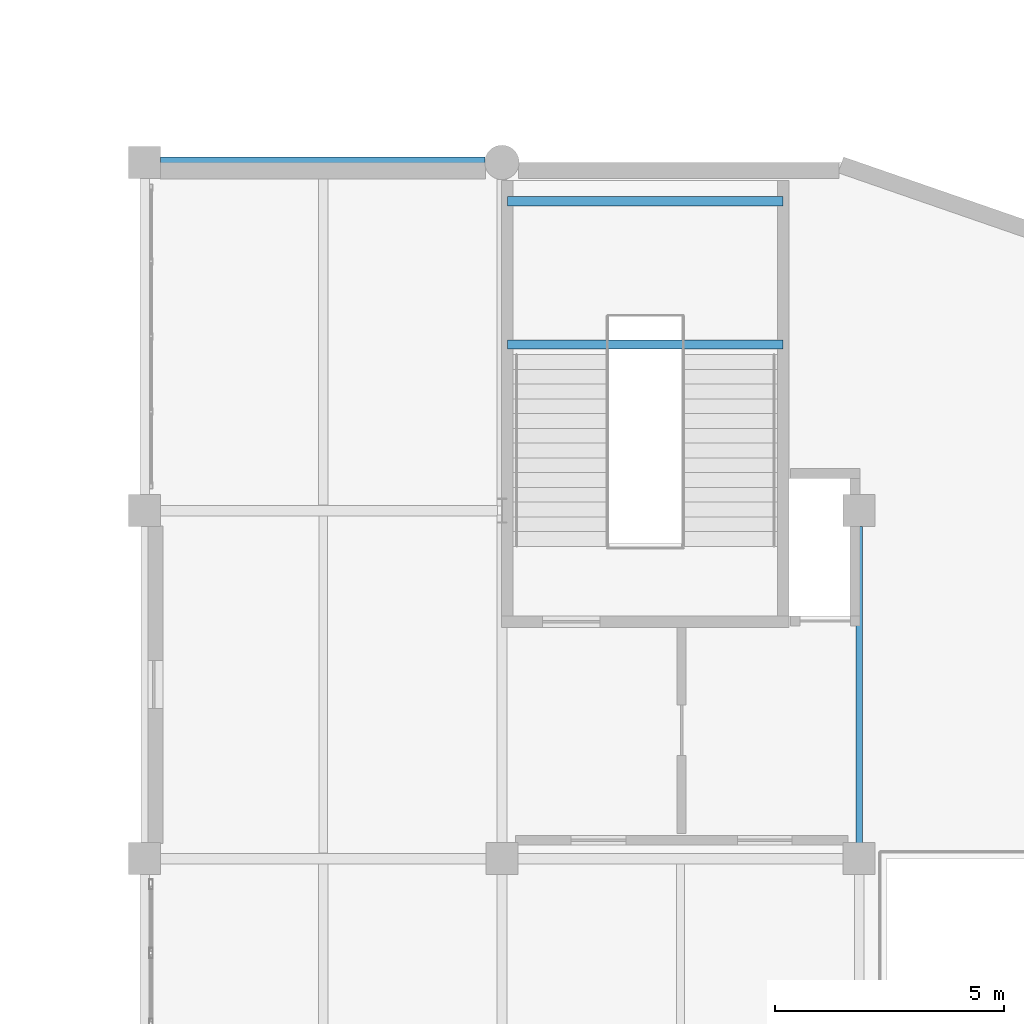
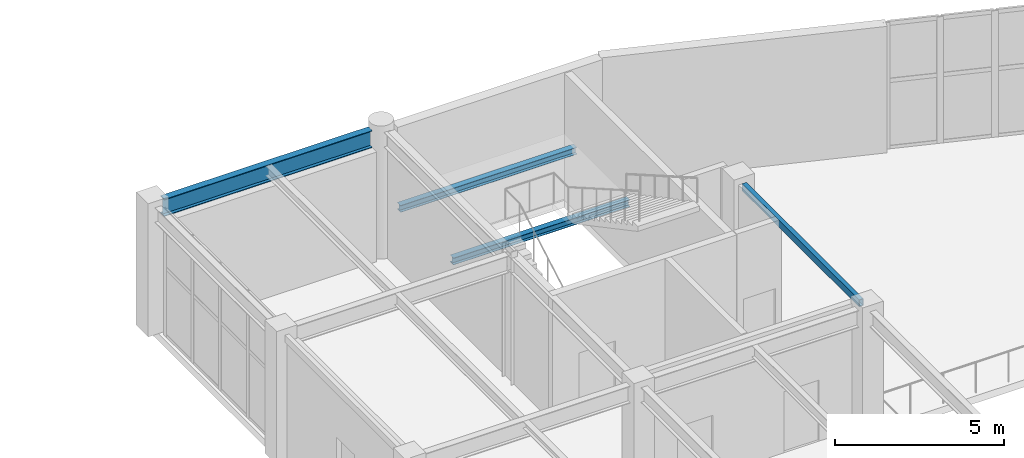
# One storey, part 37 of 72: 4 beams.
"""IFC4 building model written with IfcOpenShell, lengths in metres."""

from ifc_helpers import new_model, si_unit, direction, frame, origin, origin_2d, place, context, subcontext, project, spatial, hollow_rectangle, i_section, extrude, material, material_profile, profile_set, type_object, element, save


model = new_model("IFC4")

# Units and contexts
model_context = context("Model", 3, precision=1e-05, world=origin(), true_north=direction((0.0, 1.0)))
body_context = subcontext(model_context, "Body", "Model", "MODEL_VIEW")
ifc_project = project(units=[si_unit("LENGTHUNIT", "METRE"), si_unit("AREAUNIT", "SQUARE_METRE"), si_unit("VOLUMEUNIT", "CUBIC_METRE"), si_unit("PLANEANGLEUNIT", "RADIAN"), si_unit("MASSUNIT", "GRAM", prefix="KILO")], contexts=[model_context])

# Site, building, storey
site_placement = place(None, origin())
site = spatial("IfcSite", under=ifc_project, at=site_placement, CompositionType="ELEMENT")
building_placement = place(site_placement, origin())
building = spatial("IfcBuilding", under=site, at=building_placement, Name="Xicomal Pleat Aquarium", CompositionType="ELEMENT")
storey_placement = place(building_placement, frame((0.0, 0.0, 10.5)))
storey = spatial("IfcBuildingStorey", under=building, at=storey_placement, Name="L03", CompositionType="ELEMENT", Elevation=10.5)

# Beams
ifc_material_1 = material(Name="Structural steel A992 Gr 50", Category="steel")
ifc_material_profile_1 = material_profile(ifc_material_1, i_section(OverallWidth=0.201904296875, OverallDepth=0.2470703125, WebThickness=0.00732421875, FlangeThickness=0.010986328125, at=origin_2d()), Name="IR 250x49")
ifc_profile_set_1 = profile_set([ifc_material_profile_1], Name="Structural steel A992 Gr 50")
beam_type_1 = type_object("IfcBeamType", Name="BM-STL-IR250", PredefinedType="JOIST", material=ifc_profile_set_1)
for number, where, z_axis, x_axis, name in (
    (1, (141.719970703125, 29.550048828125, 2.0791015625), (1.0, 0.0, 0.0), (0.0, 1.0, 0.0), "ST-08-L03 half-landing bearer beam 1"),
    (2, (141.719970703125, 26.426025390625, 2.0791015625), (1.0, 0.0, 0.0), (0.0, 1.0, 0.0), "ST-08-L03 half-landing bearer beam 2"),
):
    element("IfcBeam", number, at=place(storey_placement, frame(where, z_axis=z_axis, x_axis=x_axis)), inside=storey, type_object=beam_type_1, Name=name, PredefinedType="JOIST", context=body_context, shape_type="SweptSolid", body=[
        extrude(i_section(OverallWidth=0.201904296875, OverallDepth=0.2470703125, WebThickness=0.00732421875, FlangeThickness=0.010986328125, at=origin_2d()), origin(), (0.0, 0.0, 1.0), 6.02001953125),
    ])
ifc_material_2 = material(Name="Structural steel A992 Gr 50", Category="steel")
ifc_material_profile_2 = material_profile(ifc_material_2, i_section(OverallWidth=0.22998046875, OverallDepth=0.616943359375, WebThickness=0.01318359375, FlangeThickness=0.022216796875, at=origin_2d()), Name="IR 610x140")
ifc_profile_set_2 = profile_set([ifc_material_profile_2], Name="Structural steel A992 Gr 50")
beam_type_2 = type_object("IfcBeamType", Name="BM-STL-IR610", PredefinedType="BEAM", material=ifc_profile_set_2)
beam_1_placement = place(storey_placement, frame((134.14501953125, 30.39990234375, 4.2666015625), z_axis=(1.0, 0.0, 0.0), x_axis=(0.0, 1.0, 0.0)))
element("IfcBeam", 3, at=beam_1_placement, inside=storey, type_object=beam_type_2, Name="L03 framing beam FGX-L03-17-18-E", PredefinedType="BEAM", context=body_context, shape_type="SweptSolid", body=[
    extrude(i_section(OverallWidth=0.22998046875, OverallDepth=0.616943359375, WebThickness=0.01318359375, FlangeThickness=0.022216796875, at=origin_2d()), origin(), (0.0, 0.0, 1.0), 7.0849609375),
])
ifc_material_3 = material(Name="Structural steel A500 Gr C", Category="steel")
ifc_material_profile_3 = material_profile(ifc_material_3, hollow_rectangle(XDim=0.14990234375, YDim=0.25, WallThickness=0.010009765625, at=origin_2d()), Name="OR 250x150x10")
ifc_profile_set_3 = profile_set([ifc_material_profile_3], Name="Structural steel A500 Gr C")
beam_type_3 = type_object("IfcBeamType", Name="BM-STL-OR250", PredefinedType="SPANDREL", material=ifc_profile_set_3)
beam_2_placement = place(storey_placement, frame((149.39990234375, 15.544921875, 4.449951171875), z_axis=(0.0, 1.0, 0.0), x_axis=(-1.0, 0.0, 0.0)))
element("IfcBeam", 4, at=beam_2_placement, inside=storey, type_object=beam_type_3, Name="L03 framing beam FGY-L03-19-C-D", PredefinedType="SPANDREL", context=body_context, shape_type="SweptSolid", body=[
    extrude(hollow_rectangle(XDim=0.14990234375, YDim=0.25, WallThickness=0.010009765625, at=origin_2d()), origin(), (0.0, 0.0, 1.0), 6.91015625),
])

save(model, "model.ifc")
